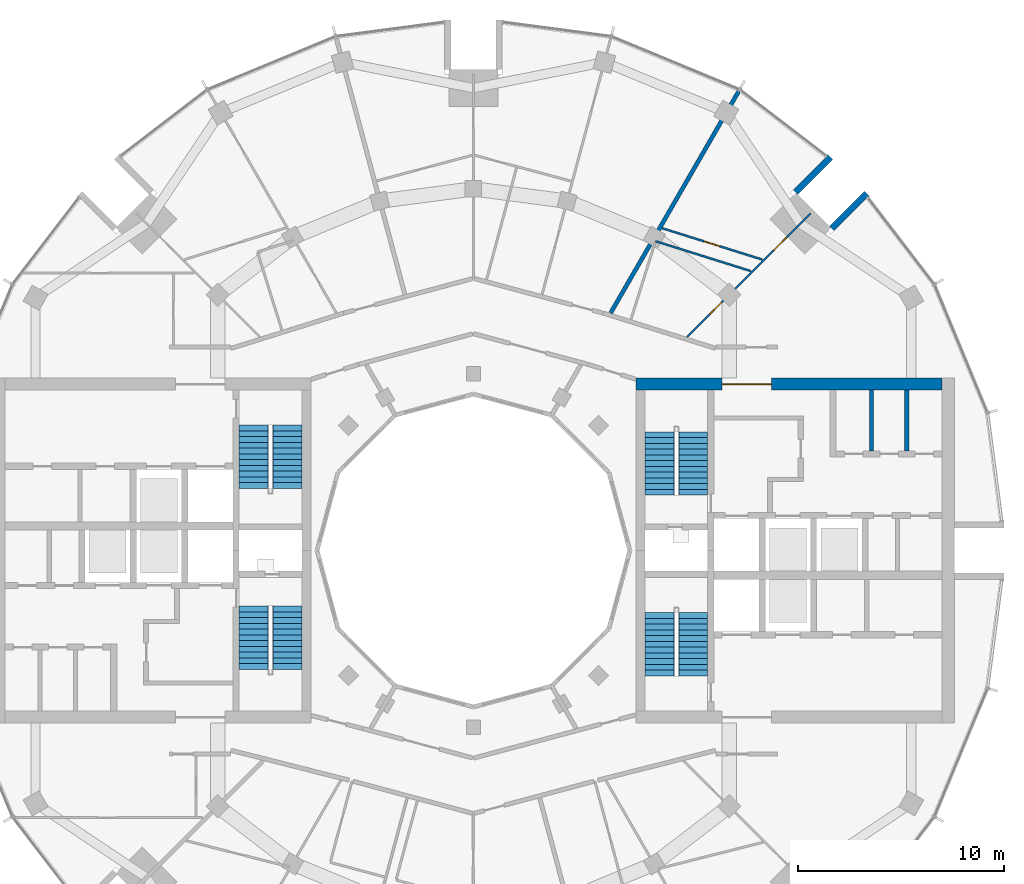
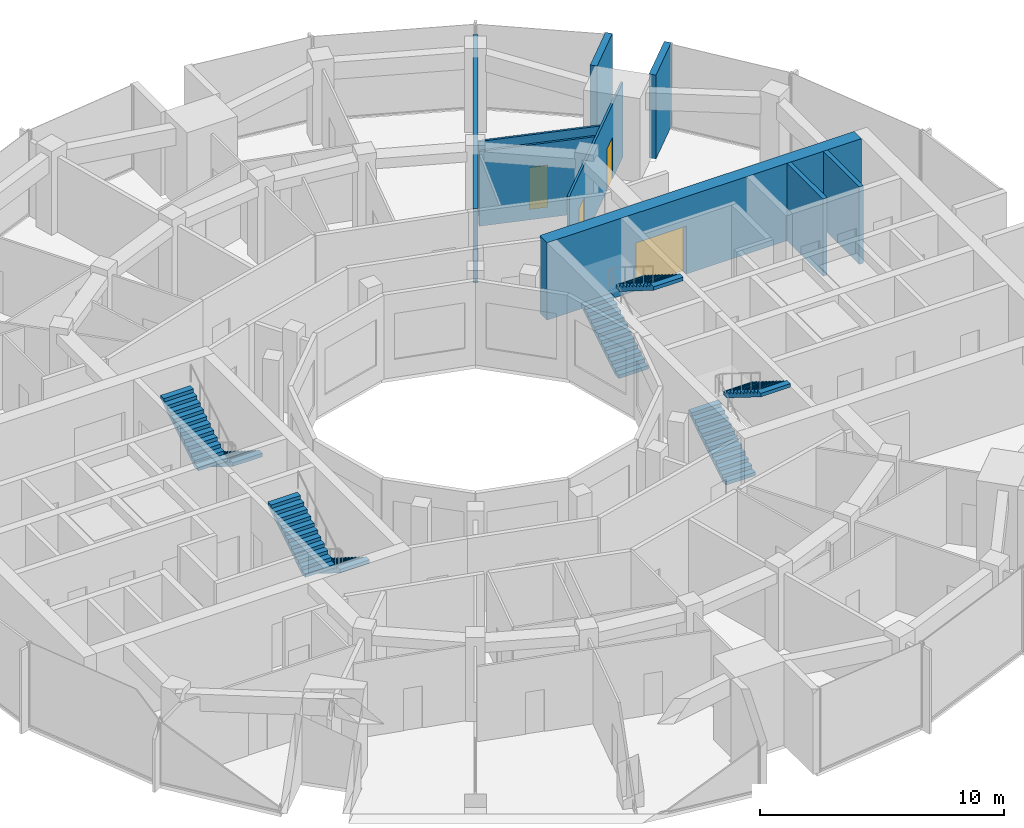
# One storey, part 13 of 15: 9 walls, 8 stair flights, 4 doors, 4 openings, 4 elements without a shape of their own.
"""IFC4 building model written with IfcOpenShell, lengths in metres."""

from ifc_helpers import new_model, si_unit, direction, frame, frame_2d, origin, place, context, subcontext, project, spatial, polyline, rectangle, outline, extrude, material, layer, layer_set, type_object, element, fill, aggregate, save


model = new_model("IFC4")

# Units and contexts
model_context = context("Model", 3, precision=1e-05, world=origin(), true_north=direction((0.0, 1.0)))
body_context = subcontext(model_context, "Body", "Model", "MODEL_VIEW")
ifc_project = project(units=[si_unit("LENGTHUNIT", "METRE"), si_unit("AREAUNIT", "SQUARE_METRE"), si_unit("VOLUMEUNIT", "CUBIC_METRE"), si_unit("PLANEANGLEUNIT", "RADIAN"), si_unit("MASSUNIT", "GRAM", prefix="KILO")], contexts=[model_context])

# Site, building, storey
site_placement = place(None, origin())
site = spatial("IfcSite", under=ifc_project, at=site_placement, CompositionType="ELEMENT")
building_placement = place(site_placement, origin())
building = spatial("IfcBuilding", under=site, at=building_placement, Name="Torre Brocal", CompositionType="ELEMENT")
storey_placement = place(building_placement, frame((0.0, 0.0, 254.10009765625)))
storey = spatial("IfcBuildingStorey", under=building, at=storey_placement, Name="L58", CompositionType="ELEMENT", Elevation=254.10009765625)

# Walls
ifc_material_1 = material(Name="Masonry block", Category="masonry")
ifc_layer_1 = layer(ifc_material_1, 0.199951171875)
ifc_layer_set_1 = layer_set([ifc_layer_1], Name="Masonry block")
wall_type_1 = type_object("IfcWallType", Name="CORE PARTITION 200", PredefinedType="PARTITIONING", material=ifc_layer_set_1)
for number, where, z_axis, x_axis, name in (
    (1, (99.36669921875, 79.85009765625, 0.0), (0.0, 0.0, 1.0), (0.0, 1.0, 0.0), "Wall CP200"),
    (2, (101.083251953125, 79.85009765625, 0.0), (0.0, 0.0, 1.0), (0.0, 1.0, 0.0), "Wall CP200"),
):
    element("IfcWall", number, at=place(storey_placement, frame(where, z_axis=z_axis, x_axis=x_axis)), inside=storey, type_object=wall_type_1, Name=name, PredefinedType="PARTITIONING", context=body_context, shape_type="SweptSolid", body=[
        extrude(rectangle(XDim=2.949951171875, YDim=0.199951171875, at=frame_2d((1.47509765625, 0.0))), origin(), (0.0, 0.0, 1.0), 3.8798828125),
    ])

# Wall, opening, door
ifc_material_2 = material(Name="Concrete C60", Category="concrete")
ifc_layer_2 = layer(ifc_material_2, 0.60009765625)
ifc_layer_set_2 = layer_set([ifc_layer_2], Name="Concrete C60")
wall_type_2 = type_object("IfcWallType", Name="CORE WALL 600 C60", PredefinedType="SHEAR", material=ifc_layer_set_2)
wall_1_placement = place(storey_placement, frame((87.89990234375, 83.10009765625, 0.0), z_axis=(0.0, 0.0, 1.0), x_axis=(1.0, 0.0, 0.0)))
wall_1 = element("IfcWall", 3, at=wall_1_placement, inside=storey, type_object=wall_type_2, Name="Wall CW600-60", PredefinedType="SHEAR", context=body_context, shape_type="SweptSolid", body=[
    extrude(rectangle(XDim=14.900146484375, YDim=0.60009765625, at=frame_2d((7.4501953125, 0.0))), origin(), (0.0, 0.0, 1.0), 3.8798828125),
])
opening_1_placement = place(wall_1_placement, frame((4.199951171875, 0.0, 0.0)))
opening_1 = element("IfcOpeningElement", 4, at=opening_1_placement, cuts=wall_1, Name="Opening E-D12", PredefinedType="OPENING", context=body_context, shape_type="SweptSolid", body=[
    extrude(rectangle(XDim=2.39990234375, YDim=2.39990234375, at=frame_2d((1.199951171875, 1.199951171875))), frame((0.0, 0.31005859375, 0.0), z_axis=(0.0, -1.0, 0.0), x_axis=(1.0, 0.0, 0.0)), (0.0, 0.0, 1.0), 0.6201171875),
])
ifc_material_3 = material(Name="Steel A653", Category="steel")
door_type_1 = type_object("IfcDoorType", Name="DOUBLE FIRE DOOR FD90 2400X2400", OperationType="DOUBLE_DOOR_SINGLE_SWING", PredefinedType="DOOR", material=ifc_material_3)
door_1_placement = place(opening_1_placement, frame((2.39990234375, 0.0, 0.0), z_axis=(0.0, 0.0, 1.0), x_axis=(-1.0, 0.0, 0.0)))
door_1 = element("IfcDoor", 5, at=door_1_placement, inside=storey, type_object=door_type_1, Name="Door E-D12", OperationType="DOUBLE_DOOR_SINGLE_SWING", OverallHeight=2.39990234375, OverallWidth=2.39990234375, PredefinedType="DOOR", context=body_context, shape_type="SweptSolid", body=[
    extrude(rectangle(XDim=2.39990234375, YDim=2.39990234375, at=frame_2d((1.199951171875, 1.199951171875))), frame((0.0, 0.02490234375, 0.0), z_axis=(0.0, -1.0, 0.0), x_axis=(1.0, 0.0, 0.0)), (0.0, 0.0, 1.0), 0.050048828125),
])
fill(opening_1, door_1)

# Walls
ifc_material_4 = material(Name="Concrete C60", Category="concrete")
ifc_layer_3 = layer(ifc_material_4, 0.300048828125)
ifc_layer_set_3 = layer_set([ifc_layer_3], Name="Concrete C60")
wall_type_3 = type_object("IfcWallType", Name="NOTCH RETURN WALL 300 C60", PredefinedType="NOTDEFINED", material=ifc_layer_set_3)
for number, where, z_axis, x_axis, name in (
    (6, (97.43017578125, 90.662353515625, 0.0), (0.0, 0.0, 1.0), (0.707106781187, 0.707106781187, 0.0), "NOTCH RETURN WALL"),
    (7, (95.662353515625, 92.43017578125, 0.0), (0.0, 0.0, 1.0), (0.707106781187, 0.707106781187, 0.0), "NOTCH RETURN WALL"),
):
    element("IfcWall", number, at=place(storey_placement, frame(where, z_axis=z_axis, x_axis=x_axis)), inside=storey, type_object=wall_type_3, Name=name, PredefinedType="NOTDEFINED", context=body_context, shape_type="SweptSolid", body=[
        extrude(rectangle(XDim=2.415771484375, YDim=0.300048828125, at=frame_2d((1.2080078125, 0.0))), origin(), (0.0, 0.0, 1.0), 4.199951171875),
    ])
ifc_material_5 = material(Name="Gypsum board", Category="Gypsum")
ifc_layer_4 = layer(ifc_material_5, 0.10009765625)
ifc_layer_set_4 = layer_set([ifc_layer_4], Name="Gypsum board")
wall_type_4 = type_object("IfcWallType", Name="PARTITION 100", PredefinedType="PARTITIONING", material=ifc_layer_set_4)
wall_2_placement = place(storey_placement, frame((88.85791015625, 90.052978515625, 0.0), z_axis=(0.0, 0.0, 1.0), x_axis=(0.954180222183, -0.299232524294, 0.0)))
element("IfcWall", 8, at=wall_2_placement, inside=storey, type_object=wall_type_4, Name="BATHROOM WALL", PredefinedType="PARTITIONING", context=body_context, shape_type="SweptSolid", body=[
    extrude(rectangle(XDim=4.86279296875, YDim=0.10009765625, at=frame_2d((2.431396484375, 0.0))), origin(), (0.0, 0.0, 1.0), 3.75),
])

# Wall, opening, door
wall_3_placement = place(storey_placement, frame((89.179931640625, 90.68505859375, 0.0), z_axis=(0.0, 0.0, 1.0), x_axis=(0.954251036713, -0.299006620215, 0.0)))
wall_3 = element("IfcWall", 9, at=wall_3_placement, inside=storey, type_object=wall_type_4, Name="BATHROOM WALL", PredefinedType="PARTITIONING", context=body_context, shape_type="SweptSolid", body=[
    extrude(rectangle(XDim=5.110595703125, YDim=0.10009765625, at=frame_2d((2.55517578125, 0.0))), origin(), (0.0, 0.0, 1.0), 3.75),
])
opening_2_placement = place(wall_3_placement, frame((2.140380859375, 0.0, 0.0)))
opening_2 = element("IfcOpeningElement", 10, at=opening_2_placement, cuts=wall_3, Name="Opening B04-D03", PredefinedType="OPENING", context=body_context, shape_type="SweptSolid", body=[
    extrude(rectangle(XDim=0.800048828125, YDim=2.10009765625, at=frame_2d((0.39990234375, 1.050048828125))), frame((0.0, 0.06005859375, 0.0), z_axis=(0.0, -1.0, 0.0), x_axis=(1.0, 0.0, 0.0)), (0.0, 0.0, 1.0), 0.1201171875),
])
ifc_material_6 = material(Name="Timber", Category="wood")
door_type_2 = type_object("IfcDoorType", Name="BATHROOM DOOR 800X2100", OperationType="SINGLE_SWING_LEFT", PredefinedType="DOOR", material=ifc_material_6)
door_2_placement = place(opening_2_placement, frame((0.800048828125, 0.0, 0.0), z_axis=(0.0, 0.0, 1.0), x_axis=(-1.0, 0.0, 0.0)))
door_2 = element("IfcDoor", 11, at=door_2_placement, inside=storey, type_object=door_type_2, Name="B04-D03", OperationType="SINGLE_SWING_LEFT", OverallHeight=2.10009765625, OverallWidth=0.800048828125, PredefinedType="DOOR", context=body_context, shape_type="SweptSolid", body=[
    extrude(rectangle(XDim=0.800048828125, YDim=2.10009765625, at=frame_2d((0.39990234375, 1.050048828125))), frame((0.0, 0.02490234375, 0.0), z_axis=(0.0, -1.0, 0.0), x_axis=(1.0, 0.0, 0.0)), (0.0, 0.0, 1.0), 0.050048828125),
])
fill(opening_2, door_2)

# Wall, openings, doors
wall_4_placement = place(storey_placement, frame((90.39453125, 85.395263671875, 0.0), z_axis=(0.0, 0.0, 1.0), x_axis=(0.707279106146, 0.706934414221, 0.0)))
wall_4 = element("IfcWall", 12, at=wall_4_placement, inside=storey, type_object=wall_type_4, Name="BATHROOM WALL", PredefinedType="PARTITIONING", context=body_context, shape_type="SweptSolid", body=[
    extrude(rectangle(XDim=8.49951171875, YDim=0.10009765625, at=frame_2d((4.249755859375, 0.0))), origin(), (0.0, 0.0, 1.0), 3.75),
])
opening_3_placement = place(wall_4_placement, frame((5.956787109375, 0.0, 0.0)))
opening_3 = element("IfcOpeningElement", 13, at=opening_3_placement, cuts=wall_4, Name="Opening B04-D02", PredefinedType="OPENING", context=body_context, shape_type="SweptSolid", body=[
    extrude(rectangle(XDim=0.89990234375, YDim=2.10009765625, at=frame_2d((0.449951171875, 1.050048828125))), frame((0.0, 0.06005859375, 0.0), z_axis=(0.0, -1.0, 0.0), x_axis=(1.0, 0.0, 0.0)), (0.0, 0.0, 1.0), 0.1201171875),
])
opening_4_placement = place(wall_4_placement, frame((1.56201171875, 0.0, 0.0)))
opening_4 = element("IfcOpeningElement", 14, at=opening_4_placement, cuts=wall_4, Name="Opening B04-D04", PredefinedType="OPENING", context=body_context, shape_type="SweptSolid", body=[
    extrude(rectangle(XDim=0.800048828125, YDim=2.10009765625, at=frame_2d((0.39990234375, 1.050048828125))), frame((0.0, 0.06005859375, 0.0), z_axis=(0.0, -1.0, 0.0), x_axis=(1.0, 0.0, 0.0)), (0.0, 0.0, 1.0), 0.1201171875),
])
door_3_placement = place(opening_4_placement, origin())
door_3 = element("IfcDoor", 15, at=door_3_placement, inside=storey, type_object=door_type_2, Name="B04-D04", OperationType="SINGLE_SWING_LEFT", OverallHeight=2.10009765625, OverallWidth=0.800048828125, PredefinedType="DOOR", context=body_context, shape_type="SweptSolid", body=[
    extrude(rectangle(XDim=0.800048828125, YDim=2.10009765625, at=frame_2d((0.39990234375, 1.050048828125))), frame((0.0, 0.02490234375, 0.0), z_axis=(0.0, -1.0, 0.0), x_axis=(1.0, 0.0, 0.0)), (0.0, 0.0, 1.0), 0.050048828125),
])
fill(opening_4, door_3)
ifc_material_7 = material(Name="Timber", Category="wood")
door_type_3 = type_object("IfcDoorType", Name="ROOM DOOR 900X2100", OperationType="SINGLE_SWING_LEFT", PredefinedType="DOOR", material=ifc_material_7)
door_4_placement = place(opening_3_placement, frame((0.89990234375, 0.0, 0.0), z_axis=(0.0, 0.0, 1.0), x_axis=(-1.0, 0.0, 0.0)))
door_4 = element("IfcDoor", 16, at=door_4_placement, inside=storey, type_object=door_type_3, Name="B04-D02", OperationType="SINGLE_SWING_RIGHT", OverallHeight=2.10009765625, OverallWidth=0.89990234375, PredefinedType="DOOR", context=body_context, shape_type="SweptSolid", body=[
    extrude(rectangle(XDim=0.89990234375, YDim=2.10009765625, at=frame_2d((0.449951171875, 1.050048828125))), frame((0.0, 0.02490234375, 0.0), z_axis=(0.0, -1.0, 0.0), x_axis=(1.0, 0.0, 0.0)), (0.0, 0.0, 1.0), 0.050048828125),
])
fill(opening_3, door_4)

# Wall
ifc_material_8 = material(Name="Gypsum board", Category="Gypsum")
ifc_layer_5 = layer(ifc_material_8, 0.199951171875)
ifc_layer_set_5 = layer_set([ifc_layer_5], Name="Gypsum board")
wall_type_5 = type_object("IfcWallType", Name="PARTITION 200 EI60", PredefinedType="PARTITIONING", material=ifc_layer_set_5)
wall_5_placement = place(storey_placement, frame((86.677001953125, 86.5625, 0.0), z_axis=(0.0, 0.0, 1.0), x_axis=(0.500139020429, 0.865945125424, 0.0)))
element("IfcWall", 17, at=wall_5_placement, inside=storey, type_object=wall_type_5, Name="BATHROOM WALL", PredefinedType="PARTITIONING", context=body_context, shape_type="SweptSolid", body=[
    extrude(rectangle(XDim=12.44580078125, YDim=0.199951171875, at=frame_2d((6.222900390625, 0.0))), origin(), (0.0, 0.0, 1.0), 3.75),
])

# Stair, stair flights
ifc_material_9 = material(Name="Concrete C50", Category="concrete")
stair_type = type_object("IfcStairType", Name="EXIT STAIR", PredefinedType="HALF_TURN_STAIR", material=ifc_material_9)
stair_1_placement = place(storey_placement, origin())
stair_1 = element("IfcStair", 18, at=stair_1_placement, inside=storey, type_object=stair_type, Name="EXIT STAIR ST1", PredefinedType="HALF_TURN_STAIR")
ifc_material_10 = material(Name="Concrete C50", Category="concrete")
ifc_layer_6 = layer(ifc_material_10, 0.14990234375)
ifc_layer_set_6 = layer_set([ifc_layer_6], Name="Concrete C50")
stair_flight_type = type_object("IfcStairFlightType", Name="STAIR FLIGHT", PredefinedType="STRAIGHT", material=ifc_layer_set_6)
stair_flight_1_placement = place(storey_placement, frame((89.050048828125, 77.699951171875, 0.0), z_axis=(0.0, 0.0, 1.0), x_axis=(0.0, 1.0, 0.0)))
stair_flight_1 = element("IfcStairFlight", 19, at=stair_flight_1_placement, type_object=stair_flight_type, Name="ST1 flight 1", NumberOfRisers=12, NumberOfTreads=11, PredefinedType="STRAIGHT", RiserHeight=0.175, TreadLength=0.28, context=body_context, shape_type="SweptSolid", body=[
    extrude(outline(polyline([(0.0, 0.0), (0.0, 0.175048828125), (0.280029296875, 0.175048828125), (0.280029296875, 0.35009765625), (0.56005859375, 0.35009765625), (0.56005859375, 0.52490234375), (0.840087890625, 0.52490234375), (0.840087890625, 0.699951171875), (1.1201171875, 0.699951171875), (1.1201171875, 0.875), (1.39990234375, 0.875), (1.39990234375, 1.050048828125), (1.679931640625, 1.050048828125), (1.679931640625, 1.22509765625), (1.9599609375, 1.22509765625), (1.9599609375, 1.39990234375), (2.239990234375, 1.39990234375), (2.239990234375, 1.574951171875), (2.52001953125, 1.574951171875), (2.52001953125, 1.75), (2.800048828125, 1.75), (2.800048828125, 1.925048828125), (3.080078125, 1.925048828125), (3.080078125, 2.10009765625), (3.080078125, 1.748291015625), (0.28271484375, 0.0), (0.0, 0.0)])), frame((0.0, 0.699951171875, 0.0), z_axis=(0.0, -1.0, 0.0), x_axis=(1.0, 0.0, 0.0)), (0.0, 0.0, 1.0), 1.39990234375),
])
stair_flight_2_placement = place(storey_placement, frame((90.699951171875, 80.780029296875, 2.099853515625), z_axis=(0.0, 0.0, 1.0), x_axis=(0.0, -1.0, 0.0)))
stair_flight_2 = element("IfcStairFlight", 20, at=stair_flight_2_placement, type_object=stair_flight_type, Name="ST1 flight 2", NumberOfRisers=12, NumberOfTreads=11, PredefinedType="STRAIGHT", RiserHeight=0.175, TreadLength=0.28, context=body_context, shape_type="SweptSolid", body=[
    extrude(outline(polyline([(0.0, 0.0), (0.0, 0.175048828125), (0.280029296875, 0.175048828125), (0.280029296875, 0.35009765625), (0.56005859375, 0.35009765625), (0.56005859375, 0.52490234375), (0.840087890625, 0.52490234375), (0.840087890625, 0.699951171875), (1.1201171875, 0.699951171875), (1.1201171875, 0.875), (1.39990234375, 0.875), (1.39990234375, 1.050048828125), (1.679931640625, 1.050048828125), (1.679931640625, 1.22509765625), (1.9599609375, 1.22509765625), (1.9599609375, 1.39990234375), (2.239990234375, 1.39990234375), (2.239990234375, 1.574951171875), (2.52001953125, 1.574951171875), (2.52001953125, 1.75), (2.800048828125, 1.75), (2.800048828125, 1.925048828125), (3.080078125, 1.925048828125), (3.080078125, 2.10009765625), (3.080078125, 1.748291015625), (0.28271484375, 0.0), (0.0, 0.0)])), frame((0.0, 0.699951171875, 0.0), z_axis=(0.0, -1.0, 0.0), x_axis=(1.0, 0.0, 0.0)), (0.0, 0.0, 1.0), 1.39990234375),
])
aggregate(stair_1, [stair_flight_1, stair_flight_2])

stair_2_placement = place(storey_placement, origin())
stair_2 = element("IfcStair", 21, at=stair_2_placement, inside=storey, type_object=stair_type, Name="EXIT STAIR ST2", PredefinedType="HALF_TURN_STAIR")
stair_flight_3_placement = place(storey_placement, frame((89.050048828125, 68.89990234375, 0.0), z_axis=(0.0, 0.0, 1.0), x_axis=(0.0, 1.0, 0.0)))
stair_flight_3 = element("IfcStairFlight", 22, at=stair_flight_3_placement, type_object=stair_flight_type, Name="ST2 flight 1", NumberOfRisers=12, NumberOfTreads=11, PredefinedType="STRAIGHT", RiserHeight=0.175, TreadLength=0.28, context=body_context, shape_type="SweptSolid", body=[
    extrude(outline(polyline([(0.0, 0.0), (0.0, 0.175048828125), (0.280029296875, 0.175048828125), (0.280029296875, 0.35009765625), (0.56005859375, 0.35009765625), (0.56005859375, 0.52490234375), (0.840087890625, 0.52490234375), (0.840087890625, 0.699951171875), (1.1201171875, 0.699951171875), (1.1201171875, 0.875), (1.39990234375, 0.875), (1.39990234375, 1.050048828125), (1.679931640625, 1.050048828125), (1.679931640625, 1.22509765625), (1.9599609375, 1.22509765625), (1.9599609375, 1.39990234375), (2.239990234375, 1.39990234375), (2.239990234375, 1.574951171875), (2.52001953125, 1.574951171875), (2.52001953125, 1.75), (2.800048828125, 1.75), (2.800048828125, 1.925048828125), (3.080078125, 1.925048828125), (3.080078125, 2.10009765625), (3.080078125, 1.748291015625), (0.28271484375, 0.0), (0.0, 0.0)])), frame((0.0, 0.699951171875, 0.0), z_axis=(0.0, -1.0, 0.0), x_axis=(1.0, 0.0, 0.0)), (0.0, 0.0, 1.0), 1.39990234375),
])
stair_flight_4_placement = place(storey_placement, frame((90.699951171875, 71.97998046875, 2.099853515625), z_axis=(0.0, 0.0, 1.0), x_axis=(0.0, -1.0, 0.0)))
stair_flight_4 = element("IfcStairFlight", 23, at=stair_flight_4_placement, type_object=stair_flight_type, Name="ST2 flight 2", NumberOfRisers=12, NumberOfTreads=11, PredefinedType="STRAIGHT", RiserHeight=0.175, TreadLength=0.28, context=body_context, shape_type="SweptSolid", body=[
    extrude(outline(polyline([(0.0, 0.0), (0.0, 0.175048828125), (0.280029296875, 0.175048828125), (0.280029296875, 0.35009765625), (0.56005859375, 0.35009765625), (0.56005859375, 0.52490234375), (0.840087890625, 0.52490234375), (0.840087890625, 0.699951171875), (1.1201171875, 0.699951171875), (1.1201171875, 0.875), (1.39990234375, 0.875), (1.39990234375, 1.050048828125), (1.679931640625, 1.050048828125), (1.679931640625, 1.22509765625), (1.9599609375, 1.22509765625), (1.9599609375, 1.39990234375), (2.239990234375, 1.39990234375), (2.239990234375, 1.574951171875), (2.52001953125, 1.574951171875), (2.52001953125, 1.75), (2.800048828125, 1.75), (2.800048828125, 1.925048828125), (3.080078125, 1.925048828125), (3.080078125, 2.10009765625), (3.080078125, 1.748291015625), (0.28271484375, 0.0), (0.0, 0.0)])), frame((0.0, 0.699951171875, 0.0), z_axis=(0.0, -1.0, 0.0), x_axis=(1.0, 0.0, 0.0)), (0.0, 0.0, 1.0), 1.39990234375),
])
aggregate(stair_2, [stair_flight_3, stair_flight_4])

stair_3_placement = place(storey_placement, origin())
stair_3 = element("IfcStair", 24, at=stair_3_placement, inside=storey, type_object=stair_type, Name="EXIT STAIR ST3", PredefinedType="HALF_TURN_STAIR")
stair_flight_5_placement = place(storey_placement, frame((70.949951171875, 72.300048828125, 0.0), z_axis=(0.0, 0.0, 1.0), x_axis=(0.0, -1.0, 0.0)))
stair_flight_5 = element("IfcStairFlight", 25, at=stair_flight_5_placement, type_object=stair_flight_type, Name="ST3 flight 1", NumberOfRisers=12, NumberOfTreads=11, PredefinedType="STRAIGHT", RiserHeight=0.175, TreadLength=0.28, context=body_context, shape_type="SweptSolid", body=[
    extrude(outline(polyline([(0.0, 0.0), (0.0, 0.175048828125), (0.280029296875, 0.175048828125), (0.280029296875, 0.35009765625), (0.56005859375, 0.35009765625), (0.56005859375, 0.52490234375), (0.840087890625, 0.52490234375), (0.840087890625, 0.699951171875), (1.1201171875, 0.699951171875), (1.1201171875, 0.875), (1.39990234375, 0.875), (1.39990234375, 1.050048828125), (1.679931640625, 1.050048828125), (1.679931640625, 1.22509765625), (1.9599609375, 1.22509765625), (1.9599609375, 1.39990234375), (2.239990234375, 1.39990234375), (2.239990234375, 1.574951171875), (2.52001953125, 1.574951171875), (2.52001953125, 1.75), (2.800048828125, 1.75), (2.800048828125, 1.925048828125), (3.080078125, 1.925048828125), (3.080078125, 2.10009765625), (3.080078125, 1.748291015625), (0.28271484375, 0.0), (0.0, 0.0)])), frame((0.0, 0.699951171875, 0.0), z_axis=(0.0, -1.0, 0.0), x_axis=(1.0, 0.0, 0.0)), (0.0, 0.0, 1.0), 1.39990234375),
])
stair_flight_6_placement = place(storey_placement, frame((69.300048828125, 69.219970703125, 2.099853515625), z_axis=(0.0, 0.0, 1.0), x_axis=(0.0, 1.0, 0.0)))
stair_flight_6 = element("IfcStairFlight", 26, at=stair_flight_6_placement, type_object=stair_flight_type, Name="ST3 flight 2", NumberOfRisers=12, NumberOfTreads=11, PredefinedType="STRAIGHT", RiserHeight=0.175, TreadLength=0.28, context=body_context, shape_type="SweptSolid", body=[
    extrude(outline(polyline([(0.0, 0.0), (0.0, 0.175048828125), (0.280029296875, 0.175048828125), (0.280029296875, 0.35009765625), (0.56005859375, 0.35009765625), (0.56005859375, 0.52490234375), (0.840087890625, 0.52490234375), (0.840087890625, 0.699951171875), (1.1201171875, 0.699951171875), (1.1201171875, 0.875), (1.39990234375, 0.875), (1.39990234375, 1.050048828125), (1.679931640625, 1.050048828125), (1.679931640625, 1.22509765625), (1.9599609375, 1.22509765625), (1.9599609375, 1.39990234375), (2.239990234375, 1.39990234375), (2.239990234375, 1.574951171875), (2.52001953125, 1.574951171875), (2.52001953125, 1.75), (2.800048828125, 1.75), (2.800048828125, 1.925048828125), (3.080078125, 1.925048828125), (3.080078125, 2.10009765625), (3.080078125, 1.748291015625), (0.28271484375, 0.0), (0.0, 0.0)])), frame((0.0, 0.699951171875, 0.0), z_axis=(0.0, -1.0, 0.0), x_axis=(1.0, 0.0, 0.0)), (0.0, 0.0, 1.0), 1.39990234375),
])
aggregate(stair_3, [stair_flight_5, stair_flight_6])

stair_4_placement = place(storey_placement, origin())
stair_4 = element("IfcStair", 27, at=stair_4_placement, inside=storey, type_object=stair_type, Name="EXIT STAIR ST4", PredefinedType="HALF_TURN_STAIR")
stair_flight_7_placement = place(storey_placement, frame((70.949951171875, 81.10009765625, 0.0), z_axis=(0.0, 0.0, 1.0), x_axis=(0.0, -1.0, 0.0)))
stair_flight_7 = element("IfcStairFlight", 28, at=stair_flight_7_placement, type_object=stair_flight_type, Name="ST4 flight 1", NumberOfRisers=12, NumberOfTreads=11, PredefinedType="STRAIGHT", RiserHeight=0.175, TreadLength=0.28, context=body_context, shape_type="SweptSolid", body=[
    extrude(outline(polyline([(0.0, 0.0), (0.0, 0.175048828125), (0.280029296875, 0.175048828125), (0.280029296875, 0.35009765625), (0.56005859375, 0.35009765625), (0.56005859375, 0.52490234375), (0.840087890625, 0.52490234375), (0.840087890625, 0.699951171875), (1.1201171875, 0.699951171875), (1.1201171875, 0.875), (1.39990234375, 0.875), (1.39990234375, 1.050048828125), (1.679931640625, 1.050048828125), (1.679931640625, 1.22509765625), (1.9599609375, 1.22509765625), (1.9599609375, 1.39990234375), (2.239990234375, 1.39990234375), (2.239990234375, 1.574951171875), (2.52001953125, 1.574951171875), (2.52001953125, 1.75), (2.800048828125, 1.75), (2.800048828125, 1.925048828125), (3.080078125, 1.925048828125), (3.080078125, 2.10009765625), (3.080078125, 1.748291015625), (0.28271484375, 0.0), (0.0, 0.0)])), frame((0.0, 0.699951171875, 0.0), z_axis=(0.0, -1.0, 0.0), x_axis=(1.0, 0.0, 0.0)), (0.0, 0.0, 1.0), 1.39990234375),
])
stair_flight_8_placement = place(storey_placement, frame((69.300048828125, 78.02001953125, 2.099853515625), z_axis=(0.0, 0.0, 1.0), x_axis=(0.0, 1.0, 0.0)))
stair_flight_8 = element("IfcStairFlight", 29, at=stair_flight_8_placement, type_object=stair_flight_type, Name="ST4 flight 2", NumberOfRisers=12, NumberOfTreads=11, PredefinedType="STRAIGHT", RiserHeight=0.175, TreadLength=0.28, context=body_context, shape_type="SweptSolid", body=[
    extrude(outline(polyline([(0.0, 0.0), (0.0, 0.175048828125), (0.280029296875, 0.175048828125), (0.280029296875, 0.35009765625), (0.56005859375, 0.35009765625), (0.56005859375, 0.52490234375), (0.840087890625, 0.52490234375), (0.840087890625, 0.699951171875), (1.1201171875, 0.699951171875), (1.1201171875, 0.875), (1.39990234375, 0.875), (1.39990234375, 1.050048828125), (1.679931640625, 1.050048828125), (1.679931640625, 1.22509765625), (1.9599609375, 1.22509765625), (1.9599609375, 1.39990234375), (2.239990234375, 1.39990234375), (2.239990234375, 1.574951171875), (2.52001953125, 1.574951171875), (2.52001953125, 1.75), (2.800048828125, 1.75), (2.800048828125, 1.925048828125), (3.080078125, 1.925048828125), (3.080078125, 2.10009765625), (3.080078125, 1.748291015625), (0.28271484375, 0.0), (0.0, 0.0)])), frame((0.0, 0.699951171875, 0.0), z_axis=(0.0, -1.0, 0.0), x_axis=(1.0, 0.0, 0.0)), (0.0, 0.0, 1.0), 1.39990234375),
])
aggregate(stair_4, [stair_flight_7, stair_flight_8])

save(model, "model.ifc")
